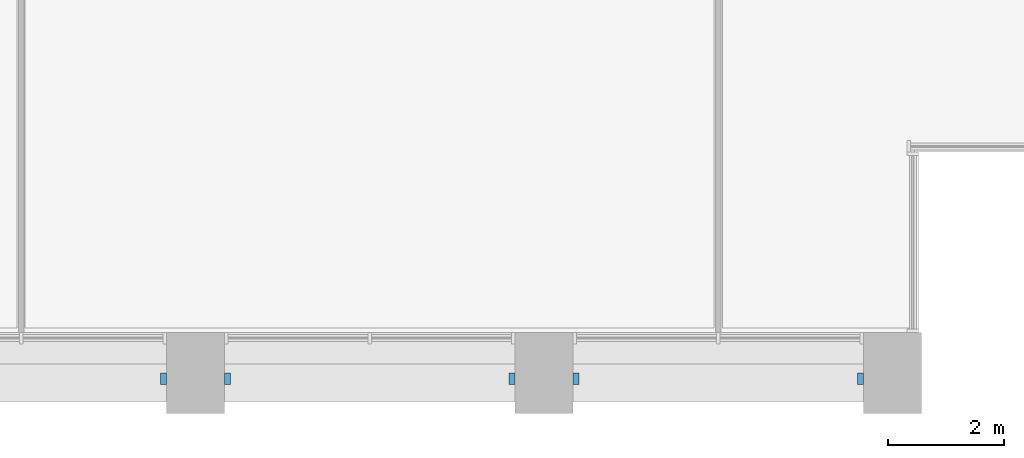
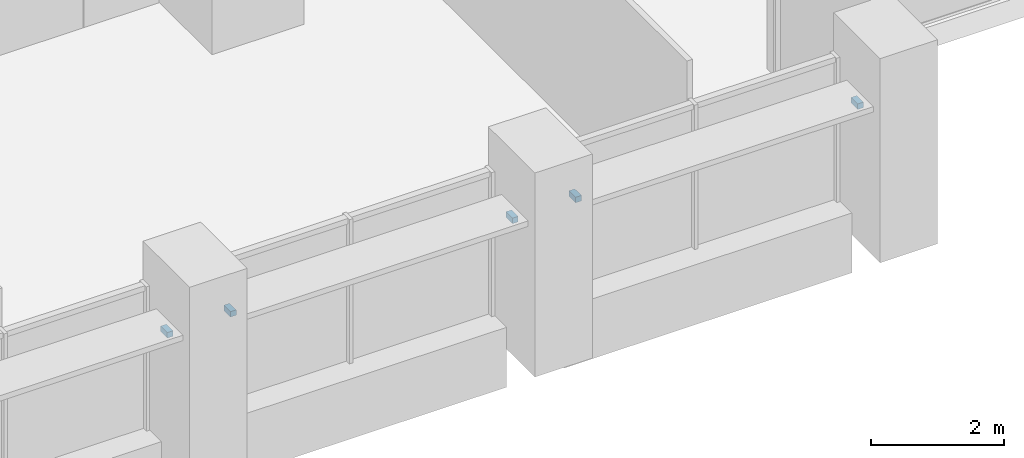
# One storey, part 16 of 18: 5 discrete accessories.
"""IFC4 building model written with IfcOpenShell, lengths in metres."""

from ifc_helpers import new_model, si_unit, direction, frame, origin, origin_2d, place, context, subcontext, project, spatial, rectangle, extrude, element, save


model = new_model("IFC4")

# Units and contexts
model_context = context("Model", 3, precision=1e-05, world=origin(), true_north=direction((0.0, 1.0)))
body_context = subcontext(model_context, "Body", "Model", "MODEL_VIEW")
ifc_project = project(units=[si_unit("LENGTHUNIT", "METRE"), si_unit("AREAUNIT", "SQUARE_METRE"), si_unit("VOLUMEUNIT", "CUBIC_METRE"), si_unit("PLANEANGLEUNIT", "RADIAN"), si_unit("MASSUNIT", "GRAM", prefix="KILO")], contexts=[model_context])

# Site, building, storey
site_placement = place(None, origin())
site = spatial("IfcSite", under=ifc_project, at=site_placement, CompositionType="ELEMENT")
building_placement = place(site_placement, origin())
building = spatial("IfcBuilding", under=site, at=building_placement, Name="Calvaro Tower", CompositionType="ELEMENT")
storey_placement = place(building_placement, frame((0.0, 0.0, 63.75)))
storey = spatial("IfcBuildingStorey", under=building, at=storey_placement, Name="L15", CompositionType="ELEMENT", Elevation=63.75)

# Discrete accessories
for number, where, z_axis, x_axis, name in (
    (1, (59.449951171875, 0.60009765625, 2.14990234375), (0.0, 0.0, 1.0), (1.0, 0.0, 0.0), "Brise-soleil bracket"),
    (2, (60.550048828125, 0.60009765625, 2.14990234375), (0.0, 0.0, 1.0), (1.0, 0.0, 0.0), "Brise-soleil bracket"),
    (3, (65.449951171875, 0.60009765625, 2.14990234375), (0.0, 0.0, 1.0), (1.0, 0.0, 0.0), "Brise-soleil bracket"),
    (4, (66.550048828125, 0.60009765625, 2.14990234375), (0.0, 0.0, 1.0), (1.0, 0.0, 0.0), "Brise-soleil bracket"),
    (5, (71.449951171875, 0.60009765625, 2.14990234375), (0.0, 0.0, 1.0), (1.0, 0.0, 0.0), "Brise-soleil bracket"),
):
    element("IfcDiscreteAccessory", number, at=place(storey_placement, frame(where, z_axis=z_axis, x_axis=x_axis)), inside=storey, Name=name, PredefinedType="BRACKET", context=body_context, shape_type="SweptSolid", body=[
        extrude(rectangle(XDim=0.10009765625, YDim=0.199951171875, at=origin_2d()), origin(), (0.0, 0.0, 1.0), 0.10009765625),
    ])

save(model, "model.ifc")
